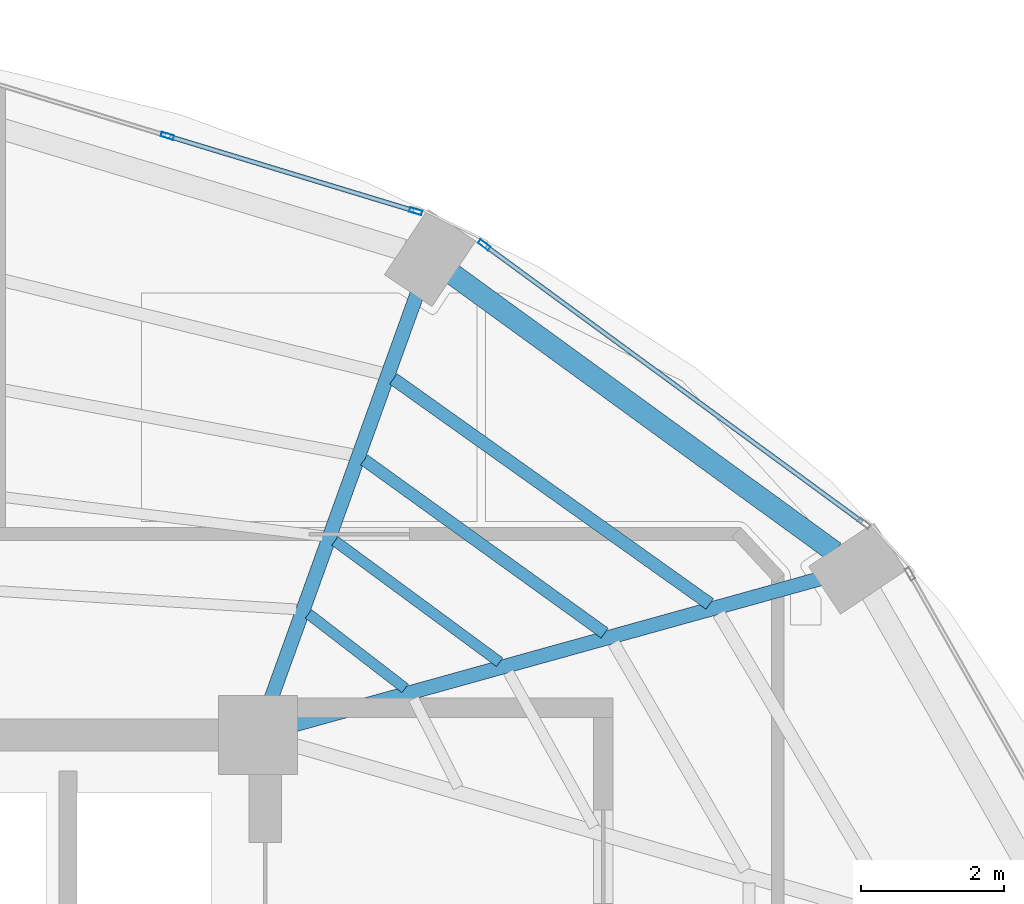
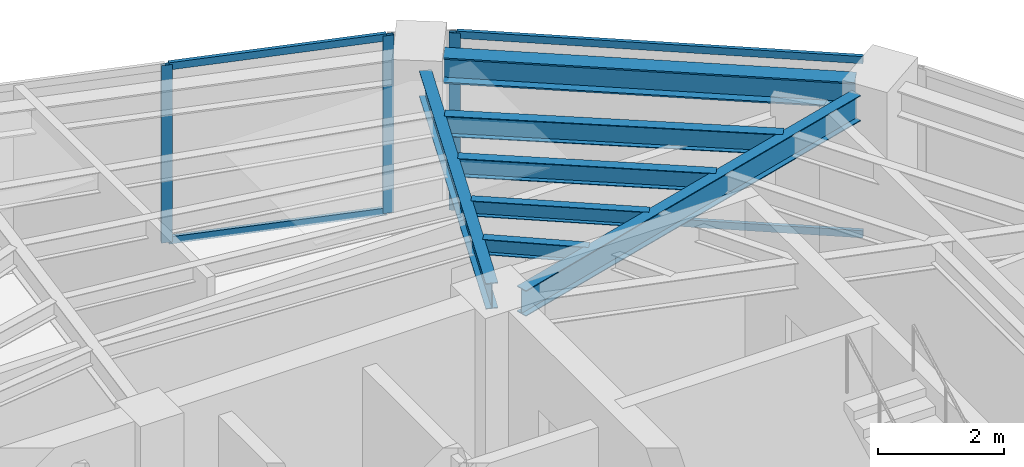
# One storey, part 6 of 15: 7 beams, 7 members, 2 elements without a shape of their own.
"""IFC4 building model written with IfcOpenShell, lengths in metres."""

from ifc_helpers import new_model, si_unit, direction, frame, origin, origin_2d, place, context, subcontext, project, spatial, hollow_rectangle, i_section, extrude, material, layer, layer_set, material_profile, profile_set, type_object, element, aggregate, save


model = new_model("IFC4")

# Units and contexts
model_context = context("Model", 3, precision=1e-05, world=origin(), true_north=direction((0.0, 1.0)))
body_context = subcontext(model_context, "Body", "Model", "MODEL_VIEW")
ifc_project = project(units=[si_unit("LENGTHUNIT", "METRE"), si_unit("AREAUNIT", "SQUARE_METRE"), si_unit("VOLUMEUNIT", "CUBIC_METRE"), si_unit("PLANEANGLEUNIT", "RADIAN"), si_unit("MASSUNIT", "GRAM", prefix="KILO")], contexts=[model_context])

# Site, building, storey
site_placement = place(None, origin())
site = spatial("IfcSite", under=ifc_project, at=site_placement, CompositionType="ELEMENT")
building_placement = place(site_placement, origin())
building = spatial("IfcBuilding", under=site, at=building_placement, Name="Lazwardi Medical Tower", CompositionType="ELEMENT")
storey_placement = place(building_placement, frame((0.0, 0.0, 284.2080078125)))
storey = spatial("IfcBuildingStorey", under=building, at=storey_placement, Name="L74", CompositionType="ELEMENT", Elevation=284.2080078125)

# Beams
ifc_material_1 = material(Name="Steel S355", Category="steel")
ifc_material_profile_1 = material_profile(ifc_material_1, i_section(OverallWidth=0.300048828125, OverallDepth=0.5, WebThickness=0.014404296875, FlangeThickness=0.028076171875, at=origin_2d()), Name="HEB 500")
ifc_profile_set_1 = profile_set([ifc_material_profile_1], Name="Steel S355")
beam_type_1 = type_object("IfcBeamType", Name="BM-RB-Z4", PredefinedType="BEAM", material=ifc_profile_set_1)
beam_1_placement = place(storey_placement, frame((53.644287109375, 38.15185546875, 3.197998046875), z_axis=(-0.808889916254, 0.587960120571, 0.0), x_axis=(-0.587960120571, -0.808889916254, 0.0)))
element("IfcBeam", 1, at=beam_1_placement, inside=storey, type_object=beam_type_1, Name="Ring beam RB-05 B06 L74", PredefinedType="BEAM", context=body_context, shape_type="SweptSolid", body=[
    extrude(i_section(OverallWidth=0.300048828125, OverallDepth=0.5, WebThickness=0.014404296875, FlangeThickness=0.028076171875, at=origin_2d()), origin(), (0.0, 0.0, 1.0), 6.587158203125),
])
ifc_material_profile_2 = material_profile(ifc_material_1, i_section(OverallWidth=0.199951171875, OverallDepth=0.5, WebThickness=0.01025390625, FlangeThickness=0.01611328125, at=origin_2d()), Name="IPE 500")
ifc_profile_set_2 = profile_set([ifc_material_profile_2], Name="Steel S355")
beam_type_2 = type_object("IfcBeamType", Name="BM-RG-W3", PredefinedType="BEAM", material=ifc_profile_set_2)
beam_2_placement = place(storey_placement, frame((53.444091796875, 37.779296875, 3.197998046875), z_axis=(-0.963504112843, -0.267693527254, 0.0), x_axis=(0.267693527254, -0.963504112843, 0.0)))
element("IfcBeam", 2, at=beam_2_placement, inside=storey, type_object=beam_type_2, Name="Radial girder RG-04 R06 L74", PredefinedType="BEAM", context=body_context, shape_type="SweptSolid", body=[
    extrude(i_section(OverallWidth=0.199951171875, OverallDepth=0.5, WebThickness=0.01025390625, FlangeThickness=0.01611328125, at=origin_2d()), origin(), (0.0, 0.0, 1.0), 7.606201171875),
])
beam_3_placement = place(storey_placement, frame((47.81884765625, 41.750732421875, 3.197998046875), z_axis=(-0.339348661818, -0.940660664492, 0.0), x_axis=(0.940660664492, -0.339348661818, 0.0)))
element("IfcBeam", 3, at=beam_3_placement, inside=storey, type_object=beam_type_2, Name="Radial girder RG-04 R07 L74", PredefinedType="BEAM", context=body_context, shape_type="SweptSolid", body=[
    extrude(i_section(OverallWidth=0.199951171875, OverallDepth=0.5, WebThickness=0.01025390625, FlangeThickness=0.01611328125, at=origin_2d()), origin(), (0.0, 0.0, 1.0), 6.003662109375),
])
ifc_material_profile_3 = material_profile(ifc_material_1, i_section(OverallWidth=0.179931640625, OverallDepth=0.39990234375, WebThickness=0.008544921875, FlangeThickness=0.013427734375, at=origin_2d()), Name="IPE 400")
ifc_profile_set_3 = profile_set([ifc_material_profile_3], Name="Steel S355")
beam_type_3 = type_object("IfcBeamType", Name="BM-SJ-01", PredefinedType="JOIST", material=ifc_profile_set_3)
beam_4_placement = place(storey_placement, frame((51.901123046875, 37.42724609375, 3.248046875), z_axis=(-0.814846949116, 0.579676159176, 0.0), x_axis=(-0.579676159176, -0.814846949116, 0.0)))
element("IfcBeam", 4, at=beam_4_placement, inside=storey, type_object=beam_type_3, Name="Secondary joist SJ-01 R1 B06 L74", PredefinedType="JOIST", context=body_context, shape_type="SweptSolid", body=[
    extrude(i_section(OverallWidth=0.179931640625, OverallDepth=0.39990234375, WebThickness=0.008544921875, FlangeThickness=0.013427734375, at=origin_2d()), origin(), (0.0, 0.0, 1.0), 5.4150390625),
])
ifc_material_profile_4 = material_profile(ifc_material_1, i_section(OverallWidth=0.169921875, OverallDepth=0.360107421875, WebThickness=0.008056640625, FlangeThickness=0.0126953125, at=origin_2d()), Name="IPE 360")
ifc_profile_set_4 = profile_set([ifc_material_profile_4], Name="Steel S355")
beam_type_4 = type_object("IfcBeamType", Name="BM-SJ-02", PredefinedType="JOIST", material=ifc_profile_set_4)
beam_5_placement = place(storey_placement, frame((50.435546875, 37.0205078125, 3.26806640625), z_axis=(-0.811472726235, 0.58439029302, 0.0), x_axis=(-0.58439029302, -0.811472726235, 0.0)))
element("IfcBeam", 5, at=beam_5_placement, inside=storey, type_object=beam_type_4, Name="Secondary joist SJ-02 R2 B06 L74", PredefinedType="JOIST", context=body_context, shape_type="SweptSolid", body=[
    extrude(i_section(OverallWidth=0.169921875, OverallDepth=0.360107421875, WebThickness=0.008056640625, FlangeThickness=0.0126953125, at=origin_2d()), origin(), (0.0, 0.0, 1.0), 4.1337890625),
])
ifc_material_profile_5 = material_profile(ifc_material_1, i_section(OverallWidth=0.14990234375, OverallDepth=0.300048828125, WebThickness=0.007080078125, FlangeThickness=0.0107421875, at=origin_2d()), Name="IPE 300")
ifc_profile_set_5 = profile_set([ifc_material_profile_5], Name="Steel S355")
beam_type_5 = type_object("IfcBeamType", Name="BM-SJ-03", PredefinedType="JOIST", material=ifc_profile_set_5)
beam_6_placement = place(storey_placement, frame((48.970458984375, 36.614013671875, 3.298095703125), z_axis=(-0.805236450776, 0.592953841662, 0.0), x_axis=(-0.592953841662, -0.805236450776, 0.0)))
element("IfcBeam", 6, at=beam_6_placement, inside=storey, type_object=beam_type_5, Name="Secondary joist SJ-03 R3 B06 L74", PredefinedType="JOIST", context=body_context, shape_type="SweptSolid", body=[
    extrude(i_section(OverallWidth=0.14990234375, OverallDepth=0.300048828125, WebThickness=0.007080078125, FlangeThickness=0.0107421875, at=origin_2d()), origin(), (0.0, 0.0, 1.0), 2.853271484375),
])
beam_7_placement = place(storey_placement, frame((47.652587890625, 36.2490234375, 3.298095703125), z_axis=(-0.792010197197, 0.610507860339, 0.0), x_axis=(-0.610507860339, -0.792010197197, 0.0)))
element("IfcBeam", 7, at=beam_7_placement, inside=storey, type_object=beam_type_5, Name="Secondary joist SJ-03 R4 B06 L74", PredefinedType="JOIST", context=body_context, shape_type="SweptSolid", body=[
    extrude(i_section(OverallWidth=0.14990234375, OverallDepth=0.300048828125, WebThickness=0.007080078125, FlangeThickness=0.0107421875, at=origin_2d()), origin(), (0.0, 0.0, 1.0), 1.70166015625),
])

# Curtain wall, member
ifc_material_2 = material(Name="Anodised bronze aluminium and solar control glazing", Category="aluminium")
ifc_layer = layer(ifc_material_2, 0.18994140625)
ifc_layer_set = layer_set([ifc_layer], Name="Anodised bronze aluminium and solar control glazing")
curtain_wall_type = type_object("IfcCurtainWallType", Name="CW-SYS-04", PredefinedType="NOTDEFINED", material=ifc_layer_set)
curtain_wall_1_placement = place(storey_placement, origin())
curtain_wall_1 = element("IfcCurtainWall", 8, at=curtain_wall_1_placement, inside=storey, type_object=curtain_wall_type, Name="L74 Unitised bronze curtain wall CW-04", PredefinedType="NOTDEFINED")
ifc_material_3 = material(Name="Anodised bronze aluminium", Category="aluminium")
ifc_material_profile_6 = material_profile(ifc_material_3, hollow_rectangle(XDim=0.06494140625, YDim=0.179931640625, WallThickness=0.00390625, at=origin_2d()), Name="ALU-MULLION 180x65x4")
ifc_profile_set_6 = profile_set([ifc_material_profile_6], Name="Anodised bronze aluminium")
member_type_1 = type_object("IfcMemberType", Name="CW-MUL-03", PredefinedType="MULLION", material=ifc_profile_set_6)
member_1_placement = place(storey_placement, frame((48.75537109375, 42.434814453125, 0.0), z_axis=(0.0, 0.0, 1.0), x_axis=(-0.591268230971, -0.806474971121, 0.0)))
member_1 = element("IfcMember", 9, at=member_1_placement, type_object=member_type_1, Name="CW-04 mullion 2", PredefinedType="MULLION", context=body_context, shape_type="SweptSolid", body=[
    extrude(hollow_rectangle(XDim=0.06494140625, YDim=0.179931640625, WallThickness=0.00390625, at=origin_2d()), origin(), (0.0, 0.0, 1.0), 3.447998046875),
])

# Curtain wall, members
curtain_wall_2_placement = place(storey_placement, origin())
curtain_wall_2 = element("IfcCurtainWall", 10, at=curtain_wall_2_placement, inside=storey, type_object=curtain_wall_type, Name="L74 Unitised bronze curtain wall CW-04", PredefinedType="NOTDEFINED")
member_2_placement = place(storey_placement, frame((47.7998046875, 42.903564453125, 0.0), z_axis=(0.0, 0.0, 1.0), x_axis=(-0.290581889515, -0.956850126972, 0.0)))
member_2 = element("IfcMember", 11, at=member_2_placement, type_object=member_type_1, Name="CW-04 mullion 1", PredefinedType="MULLION", context=body_context, shape_type="SweptSolid", body=[
    extrude(hollow_rectangle(XDim=0.06494140625, YDim=0.179931640625, WallThickness=0.00390625, at=origin_2d()), origin(), (0.0, 0.0, 1.0), 3.447998046875),
])
member_3_placement = place(storey_placement, frame((44.33642578125, 43.955322265625, 0.0), z_axis=(0.0, 0.0, 1.0), x_axis=(-0.290581889515, -0.956850126972, 0.0)))
member_3 = element("IfcMember", 12, at=member_3_placement, type_object=member_type_1, Name="CW-04 mullion 2", PredefinedType="MULLION", context=body_context, shape_type="SweptSolid", body=[
    extrude(hollow_rectangle(XDim=0.06494140625, YDim=0.179931640625, WallThickness=0.00390625, at=origin_2d()), origin(), (0.0, 0.0, 1.0), 3.447998046875),
])

# Member
ifc_material_profile_7 = material_profile(ifc_material_3, hollow_rectangle(XDim=0.06494140625, YDim=0.139892578125, WallThickness=0.00341796875, at=origin_2d()), Name="ALU-TRANSOM 140x65x3.5")
ifc_profile_set_7 = profile_set([ifc_material_profile_7], Name="Anodised bronze aluminium")
member_type_2 = type_object("IfcMemberType", Name="CW-TRN-03", PredefinedType="USERDEFINED", material=ifc_profile_set_7)
member_4_placement = place(storey_placement, frame((54.02587890625, 38.57080078125, 0.032470703125), z_axis=(-0.806471831148, 0.591272513791, 0.0), x_axis=(-0.591272513791, -0.806471831148, 0.0)))
member_4 = element("IfcMember", 13, at=member_4_placement, type_object=member_type_2, Name="CW-04 transom 1.1", ObjectType="TRANSOM", PredefinedType="USERDEFINED", context=body_context, shape_type="SweptSolid", body=[
    extrude(hollow_rectangle(XDim=0.06494140625, YDim=0.139892578125, WallThickness=0.00341796875, at=origin_2d()), origin(), (0.0, 0.0, 1.0), 6.5029296875),
])

member_5_placement = place(storey_placement, frame((54.02587890625, 38.57080078125, 3.41552734375), z_axis=(-0.806471831148, 0.591272513791, 0.0), x_axis=(-0.591272513791, -0.806471831148, 0.0)))
member_5 = element("IfcMember", 14, at=member_5_placement, type_object=member_type_2, Name="CW-04 transom 1.2", ObjectType="TRANSOM", PredefinedType="USERDEFINED", context=body_context, shape_type="SweptSolid", body=[
    extrude(hollow_rectangle(XDim=0.06494140625, YDim=0.139892578125, WallThickness=0.00341796875, at=origin_2d()), origin(), (0.0, 0.0, 1.0), 6.5029296875),
])

aggregate(curtain_wall_1, [member_1, member_4, member_5])

member_6_placement = place(storey_placement, frame((47.7685546875, 42.9130859375, 0.032470703125), z_axis=(-0.956862505902, 0.290541124109, 0.0), x_axis=(-0.290541124109, -0.956862505902, 0.0)))
member_6 = element("IfcMember", 15, at=member_6_placement, type_object=member_type_2, Name="CW-04 transom 1.1", ObjectType="TRANSOM", PredefinedType="USERDEFINED", context=body_context, shape_type="SweptSolid", body=[
    extrude(hollow_rectangle(XDim=0.06494140625, YDim=0.139892578125, WallThickness=0.00341796875, at=origin_2d()), origin(), (0.0, 0.0, 1.0), 3.554443359375),
])

member_7_placement = place(storey_placement, frame((47.7685546875, 42.9130859375, 3.41552734375), z_axis=(-0.956862505902, 0.290541124109, 0.0), x_axis=(-0.290541124109, -0.956862505902, 0.0)))
member_7 = element("IfcMember", 16, at=member_7_placement, type_object=member_type_2, Name="CW-04 transom 1.2", ObjectType="TRANSOM", PredefinedType="USERDEFINED", context=body_context, shape_type="SweptSolid", body=[
    extrude(hollow_rectangle(XDim=0.06494140625, YDim=0.139892578125, WallThickness=0.00341796875, at=origin_2d()), origin(), (0.0, 0.0, 1.0), 3.554443359375),
])

aggregate(curtain_wall_2, [member_2, member_3, member_6, member_7])

save(model, "model.ifc")
